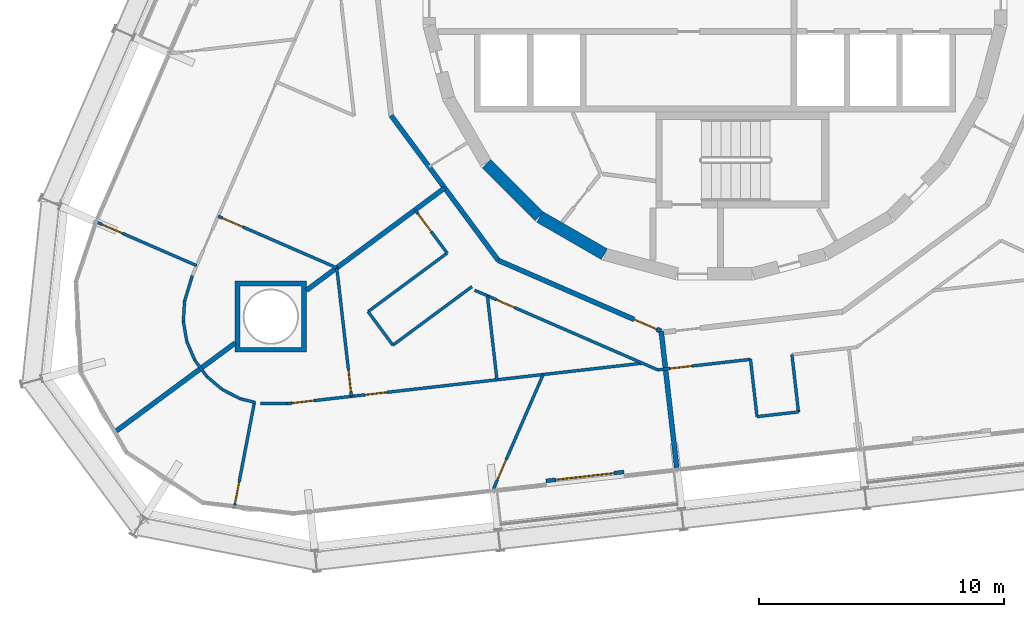
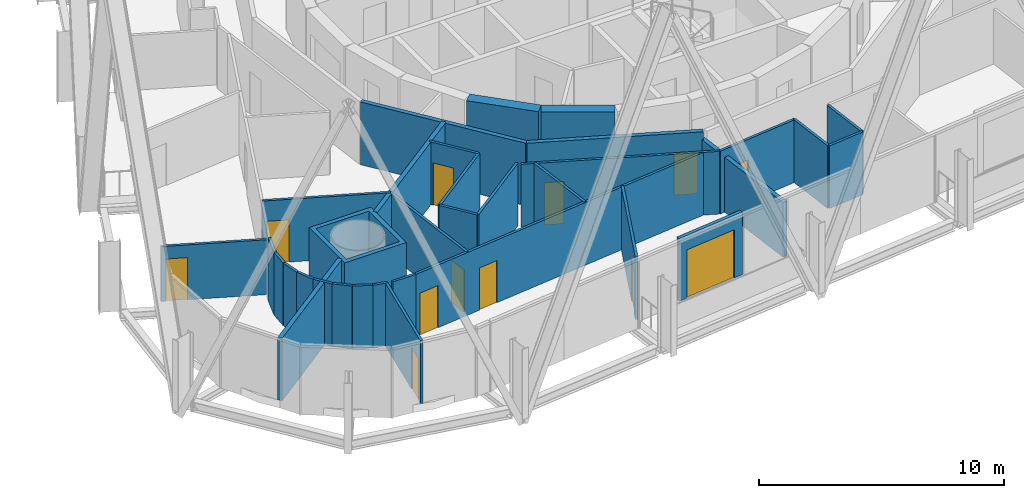
# One storey, part 16 of 23: 34 walls, 12 doors, 12 openings.
"""IFC4 building model written with IfcOpenShell, lengths in metres."""

from ifc_helpers import new_model, si_unit, direction, frame, frame_2d, origin, place, context, subcontext, project, spatial, polyline, rectangle, outline, extrude, material, layer, layer_set, type_object, element, fill, save


model = new_model("IFC4")

# Units and contexts
model_context = context("Model", 3, precision=1e-05, world=origin(), true_north=direction((0.0, 1.0)))
body_context = subcontext(model_context, "Body", "Model", "MODEL_VIEW")
ifc_project = project(units=[si_unit("LENGTHUNIT", "METRE"), si_unit("AREAUNIT", "SQUARE_METRE"), si_unit("VOLUMEUNIT", "CUBIC_METRE"), si_unit("PLANEANGLEUNIT", "RADIAN"), si_unit("MASSUNIT", "GRAM", prefix="KILO")], contexts=[model_context])

# Site, building, storey
site_placement = place(None, origin())
site = spatial("IfcSite", under=ifc_project, at=site_placement, CompositionType="ELEMENT")
building_placement = place(site_placement, origin())
building = spatial("IfcBuilding", under=site, at=building_placement, Name="Spindle Arch Residences", CompositionType="ELEMENT")
storey_placement = place(building_placement, frame((0.0, 0.0, 90.699951171875)))
storey = spatial("IfcBuildingStorey", under=building, at=storey_placement, Name="L21", CompositionType="ELEMENT", Elevation=90.699951171875)

# Walls
ifc_material_1 = material(Name="Concrete C50/60", Category="concrete")
ifc_layer_1 = layer(ifc_material_1, 0.5)
ifc_layer_set_1 = layer_set([ifc_layer_1], Name="Core outline wall 500")
wall_type_1 = type_object("IfcWallType", Name="Core outline wall 500", PredefinedType="SHEAR", material=ifc_layer_set_1)
wall_1_placement = place(storey_placement, frame((-9.30810546875, -7.163818359375, 0.0), z_axis=(0.0, 0.0, 1.0), x_axis=(0.707106781187, -0.707106781187, 0.0)))
element("IfcWall", 1, at=wall_1_placement, inside=storey, type_object=wall_type_1, Name="Core outline wall 21", PredefinedType="SHEAR", context=body_context, shape_type="SweptSolid", body=[
    extrude(rectangle(XDim=3.032470703125, YDim=0.5, at=frame_2d((1.51611328125, 0.0))), origin(), (0.0, 0.0, 1.0), 3.1201171875),
])
wall_2_placement = place(storey_placement, frame((-7.13671875, -9.32861328125, 0.0), z_axis=(0.0, 0.0, 1.0), x_axis=(0.865975092491, -0.500087131594, 0.0)))
element("IfcWall", 2, at=wall_2_placement, inside=storey, type_object=wall_type_1, Name="Core outline wall 22", PredefinedType="SHEAR", context=body_context, shape_type="SweptSolid", body=[
    extrude(rectangle(XDim=3.03271484375, YDim=0.5, at=frame_2d((1.516357421875, 0.0))), origin(), (0.0, 0.0, 1.0), 3.1201171875),
])
ifc_material_2 = material(Name="Calcium silicate block, plastered")
ifc_layer_2 = layer(ifc_material_2, 0.199951171875)
ifc_layer_set_2 = layer_set([ifc_layer_2], Name="Corridor wall 200")
wall_type_2 = type_object("IfcWallType", Name="Corridor wall 200", PredefinedType="STANDARD", material=ifc_layer_set_2)
wall_3_placement = place(storey_placement, frame((-13.1962890625, -5.1982421875, 0.0), z_axis=(0.0, 0.0, 1.0), x_axis=(0.594805187394, -0.803869883159, 0.0)))
element("IfcWall", 3, at=wall_3_placement, inside=storey, type_object=wall_type_2, Name="Corridor wall R2B0-W012", PredefinedType="STANDARD", context=body_context, shape_type="SweptSolid", body=[
    extrude(rectangle(XDim=7.341796875, YDim=0.199951171875, at=frame_2d((3.6708984375, 0.0))), origin(), (0.0, 0.0, 1.0), 3.1201171875),
])

# Wall, opening, door
wall_4_placement = place(storey_placement, frame((-8.829345703125, -11.10009765625, 0.0), z_axis=(0.0, 0.0, 1.0), x_axis=(0.917063622491, -0.398740908742, 0.0)))
wall_4 = element("IfcWall", 4, at=wall_4_placement, inside=storey, type_object=wall_type_2, Name="Corridor wall R2B0-W013", PredefinedType="STANDARD", context=body_context, shape_type="SweptSolid", body=[
    extrude(rectangle(XDim=7.239501953125, YDim=0.199951171875, at=frame_2d((3.61962890625, 0.0))), origin(), (0.0, 0.0, 1.0), 3.1201171875),
])
opening_1_placement = place(wall_4_placement, frame((6.03955078125, 0.0, 0.0)))
opening_1 = element("IfcOpeningElement", 5, at=opening_1_placement, cuts=wall_4, Name="Opening R2B0-FD04", PredefinedType="OPENING", context=body_context, shape_type="SweptSolid", body=[
    extrude(rectangle(XDim=1.0, YDim=2.10009765625, at=frame_2d((0.5, 1.050048828125))), frame((0.0, 0.10986328125, 0.0), z_axis=(0.0, -1.0, 0.0), x_axis=(1.0, 0.0, 0.0)), (0.0, 0.0, 1.0), 0.219970703125),
])
ifc_material_3 = material(Name="Timber, fire-resisting door set", Category="wood")
door_type_1 = type_object("IfcDoorType", Name="Flat entrance door 1000x2100", OperationType="NOTDEFINED", PredefinedType="DOOR", material=ifc_material_3)
door_1_placement = place(opening_1_placement, origin())
door_1 = element("IfcDoor", 6, at=door_1_placement, inside=storey, type_object=door_type_1, Name="Flat entrance door R2B0-FD04", OperationType="SINGLE_SWING_LEFT", OverallHeight=2.10009765625, OverallWidth=1.0, PredefinedType="DOOR", context=body_context, shape_type="SweptSolid", body=[
    extrude(rectangle(XDim=1.0, YDim=2.10009765625, at=frame_2d((0.5, 1.050048828125))), frame((0.0, 0.02490234375, 0.0), z_axis=(0.0, -1.0, 0.0), x_axis=(1.0, 0.0, 0.0)), (0.0, 0.0, 1.0), 0.050048828125),
])
fill(opening_1, door_1)

ifc_material_4 = material(Name="Plasterboard on steel studs", Category="steel")
ifc_layer_3 = layer(ifc_material_4, 0.1201171875)
ifc_layer_set_3 = layer_set([ifc_layer_3], Name="Flat partition 120")
wall_type_3 = type_object("IfcWallType", Name="Flat partition 120", PredefinedType="PARTITIONING", material=ifc_layer_set_3)
wall_5_placement = place(storey_placement, frame((-20.2451171875, -9.30029296875, 0.0), z_axis=(0.0, 0.0, 1.0), x_axis=(0.91706784774, -0.398731190956, 0.0)))
wall_5 = element("IfcWall", 7, at=wall_5_placement, inside=storey, type_object=wall_type_3, Name="Flat partition R2B0-W068", PredefinedType="PARTITIONING", context=body_context, shape_type="SweptSolid", body=[
    extrude(rectangle(XDim=5.2724609375, YDim=0.1201171875, at=frame_2d((2.63623046875, 0.0))), origin(), (0.0, 0.0, 1.0), 3.1201171875),
])
opening_2_placement = place(wall_5_placement, frame((0.199951171875, 0.0, 0.0)))
opening_2 = element("IfcOpeningElement", 8, at=opening_2_placement, cuts=wall_5, Name="Opening R2B0-ID15", PredefinedType="OPENING", context=body_context, shape_type="SweptSolid", body=[
    extrude(rectangle(XDim=0.89990234375, YDim=2.10009765625, at=frame_2d((0.449951171875, 1.050048828125))), frame((0.0, 0.070068359375, 0.0), z_axis=(0.0, -1.0, 0.0), x_axis=(1.0, 0.0, 0.0)), (0.0, 0.0, 1.0), 0.14013671875),
])
ifc_material_5 = material(Name="Timber door set", Category="wood")
door_type_2 = type_object("IfcDoorType", Name="Room door 900x2100", OperationType="NOTDEFINED", PredefinedType="DOOR", material=ifc_material_5)
door_2_placement = place(opening_2_placement, origin())
door_2 = element("IfcDoor", 9, at=door_2_placement, inside=storey, type_object=door_type_2, Name="Room door R2B0-ID15", OperationType="SINGLE_SWING_RIGHT", OverallHeight=2.10009765625, OverallWidth=0.89990234375, PredefinedType="DOOR", context=body_context, shape_type="SweptSolid", body=[
    extrude(rectangle(XDim=0.89990234375, YDim=2.10009765625, at=frame_2d((0.449951171875, 1.050048828125))), frame((0.0, 0.02490234375, 0.0), z_axis=(0.0, -1.0, 0.0), x_axis=(1.0, 0.0, 0.0)), (0.0, 0.0, 1.0), 0.050048828125),
])
fill(opening_2, door_2)

# Walls
for number, where, z_axis, x_axis, name in (
    (10, (-20.702880859375, -15.834716796875, 0.0), (0.0, 0.0, 1.0), (-0.594755442796, 0.803906688158, 0.0), "Flat partition R2B0-W073"),
    (11, (-21.19580078125, -15.16845703125, 0.0), (0.0, 0.0, 1.0), (-0.393528213057, 0.919312539634, 0.0), "Flat partition R2B0-W074"),
):
    element("IfcWall", number, at=place(storey_placement, frame(where, z_axis=z_axis, x_axis=x_axis)), inside=storey, type_object=wall_type_3, Name=name, PredefinedType="PARTITIONING", context=body_context, shape_type="SweptSolid", body=[
        extrude(rectangle(XDim=0.828857421875, YDim=0.1201171875, at=frame_2d((0.41455078125, 0.0))), origin(), (0.0, 0.0, 1.0), 3.1201171875),
    ])
wall_6_placement = place(storey_placement, frame((-21.52197265625, -14.406494140625, 0.0), z_axis=(0.0, 0.0, 1.0), x_axis=(-0.170794347099, 0.985306698952, 0.0)))
element("IfcWall", 12, at=wall_6_placement, inside=storey, type_object=wall_type_3, Name="Flat partition R2B0-W075", PredefinedType="PARTITIONING", context=body_context, shape_type="SweptSolid", body=[
    extrude(rectangle(XDim=0.8291015625, YDim=0.1201171875, at=frame_2d((0.41455078125, 0.0))), origin(), (0.0, 0.0, 1.0), 3.1201171875),
])
wall_7_placement = place(storey_placement, frame((-21.66357421875, -13.589599609375, 0.0), z_axis=(0.0, 0.0, 1.0), x_axis=(0.061277779288, 0.998120751095, 0.0)))
element("IfcWall", 13, at=wall_7_placement, inside=storey, type_object=wall_type_3, Name="Flat partition R2B0-W076", PredefinedType="PARTITIONING", context=body_context, shape_type="SweptSolid", body=[
    extrude(rectangle(XDim=0.82861328125, YDim=0.1201171875, at=frame_2d((0.414306640625, 0.0))), origin(), (0.0, 0.0, 1.0), 3.1201171875),
])
wall_8_placement = place(storey_placement, frame((-21.61279296875, -12.762451171875, 0.0), z_axis=(0.0, 0.0, 1.0), x_axis=(0.289552239308, 0.95716221233, 0.0)))
element("IfcWall", 14, at=wall_8_placement, inside=storey, type_object=wall_type_3, Name="Flat partition R2B0-W077", PredefinedType="PARTITIONING", context=body_context, shape_type="SweptSolid", body=[
    extrude(rectangle(XDim=1.0869140625, YDim=0.1201171875, at=frame_2d((0.54345703125, 0.0))), origin(), (0.0, 0.0, 1.0), 3.1201171875),
])

# Wall, opening, door
wall_9_placement = place(storey_placement, frame((-12.218505859375, -9.041259765625, 0.0), z_axis=(0.0, 0.0, 1.0), x_axis=(0.59482286703, -0.803856801214, 0.0)))
wall_9 = element("IfcWall", 15, at=wall_9_placement, inside=storey, type_object=wall_type_3, Name="Flat partition R2B0-W078", PredefinedType="PARTITIONING", context=body_context, shape_type="SweptSolid", body=[
    extrude(rectangle(XDim=2.193359375, YDim=0.1201171875, at=frame_2d((1.0966796875, 0.0))), origin(), (0.0, 0.0, 1.0), 3.1201171875),
])
opening_3_placement = place(wall_9_placement, frame((0.199951171875, 0.0, 0.0)))
opening_3 = element("IfcOpeningElement", 16, at=opening_3_placement, cuts=wall_9, Name="Opening R2B0-ID19", PredefinedType="OPENING", context=body_context, shape_type="SweptSolid", body=[
    extrude(rectangle(XDim=0.89990234375, YDim=2.10009765625, at=frame_2d((0.449951171875, 1.050048828125))), frame((0.0, 0.070068359375, 0.0), z_axis=(0.0, -1.0, 0.0), x_axis=(1.0, 0.0, 0.0)), (0.0, 0.0, 1.0), 0.14013671875),
])
door_3_placement = place(opening_3_placement, origin())
door_3 = element("IfcDoor", 17, at=door_3_placement, inside=storey, type_object=door_type_2, Name="Room door R2B0-ID19", OperationType="SINGLE_SWING_LEFT", OverallHeight=2.10009765625, OverallWidth=0.89990234375, PredefinedType="DOOR", context=body_context, shape_type="SweptSolid", body=[
    extrude(rectangle(XDim=0.89990234375, YDim=2.10009765625, at=frame_2d((0.449951171875, 1.050048828125))), frame((0.0, 0.02490234375, 0.0), z_axis=(0.0, -1.0, 0.0), x_axis=(1.0, 0.0, 0.0)), (0.0, 0.0, 1.0), 0.050048828125),
])
fill(opening_3, door_3)

# Walls
wall_10_placement = place(storey_placement, frame((-10.913818359375, -10.804443359375, 0.0), z_axis=(0.0, 0.0, 1.0), x_axis=(-0.803864616889, -0.594812304609, 0.0)))
element("IfcWall", 18, at=wall_10_placement, inside=storey, type_object=wall_type_3, Name="Flat partition R2B0-W079", PredefinedType="PARTITIONING", context=body_context, shape_type="SweptSolid", body=[
    extrude(rectangle(XDim=4.008056640625, YDim=0.1201171875, at=frame_2d((2.00390625, 0.0))), origin(), (0.0, 0.0, 1.0), 3.1201171875),
])
wall_11_placement = place(storey_placement, frame((-14.1357421875, -13.1884765625, 0.0), z_axis=(0.0, 0.0, 1.0), x_axis=(0.594863421241, -0.803826791087, 0.0)))
element("IfcWall", 19, at=wall_11_placement, inside=storey, type_object=wall_type_3, Name="Flat partition R2B0-W080", PredefinedType="PARTITIONING", context=body_context, shape_type="SweptSolid", body=[
    extrude(rectangle(XDim=1.699951171875, YDim=0.1201171875, at=frame_2d((0.85009765625, 0.0))), origin(), (0.0, 0.0, 1.0), 3.1201171875),
])
wall_12_placement = place(storey_placement, frame((-13.12451171875, -14.554931640625, 0.0), z_axis=(0.0, 0.0, 1.0), x_axis=(0.80389374229, 0.594772940799, 0.0)))
element("IfcWall", 20, at=wall_12_placement, inside=storey, type_object=wall_type_3, Name="Flat partition R2B0-W081", PredefinedType="PARTITIONING", context=body_context, shape_type="SweptSolid", body=[
    extrude(rectangle(XDim=4.0078125, YDim=0.1201171875, at=frame_2d((2.00390625, 0.0))), origin(), (0.0, 0.0, 1.0), 3.1201171875),
])

# Wall, opening, door
wall_13_placement = place(storey_placement, frame((-9.7958984375, -12.315185546875, 0.0), z_axis=(0.0, 0.0, 1.0), x_axis=(0.917059572812, -0.398750222463, 0.0)))
wall_13 = element("IfcWall", 21, at=wall_13_placement, inside=storey, type_object=wall_type_3, Name="Flat partition R2B0-W082", PredefinedType="PARTITIONING", context=body_context, shape_type="SweptSolid", body=[
    extrude(rectangle(XDim=8.1455078125, YDim=0.1201171875, at=frame_2d((4.07275390625, 0.0))), origin(), (0.0, 0.0, 1.0), 3.1201171875),
])
opening_4_placement = place(wall_13_placement, frame((0.969482421875, 0.0, 0.0)))
opening_4 = element("IfcOpeningElement", 22, at=opening_4_placement, cuts=wall_13, Name="Opening R2B0-BD04", PredefinedType="OPENING", context=body_context, shape_type="SweptSolid", body=[
    extrude(rectangle(XDim=0.800048828125, YDim=2.10009765625, at=frame_2d((0.39990234375, 1.050048828125))), frame((0.0, 0.070068359375, 0.0), z_axis=(0.0, -1.0, 0.0), x_axis=(1.0, 0.0, 0.0)), (0.0, 0.0, 1.0), 0.14013671875),
])
ifc_material_6 = material(Name="Timber door set", Category="wood")
door_type_3 = type_object("IfcDoorType", Name="Bathroom door 800x2100", OperationType="NOTDEFINED", PredefinedType="DOOR", material=ifc_material_6)
door_4_placement = place(opening_4_placement, origin())
door_4 = element("IfcDoor", 23, at=door_4_placement, inside=storey, type_object=door_type_3, Name="Bathroom door R2B0-BD04", OperationType="SINGLE_SWING_LEFT", OverallHeight=2.10009765625, OverallWidth=0.800048828125, PredefinedType="DOOR", context=body_context, shape_type="SweptSolid", body=[
    extrude(rectangle(XDim=0.800048828125, YDim=2.10009765625, at=frame_2d((0.39990234375, 1.050048828125))), frame((0.0, 0.02490234375, 0.0), z_axis=(0.0, -1.0, 0.0), x_axis=(1.0, 0.0, 0.0)), (0.0, 0.0, 1.0), 0.050048828125),
])
fill(opening_4, door_4)

wall_14_placement = place(storey_placement, frame((-2.325927734375, -15.563232421875, 0.0), z_axis=(0.0, 0.0, 1.0), x_axis=(0.993575068384, 0.113175012641, 0.0)))
wall_14 = element("IfcWall", 24, at=wall_14_placement, inside=storey, type_object=wall_type_3, Name="Flat partition R2B0-W083", PredefinedType="PARTITIONING", context=body_context, shape_type="SweptSolid", body=[
    extrude(rectangle(XDim=3.798828125, YDim=0.1201171875, at=frame_2d((1.8994140625, 0.0))), origin(), (0.0, 0.0, 1.0), 3.1201171875),
])
opening_5_placement = place(wall_14_placement, frame((0.513427734375, 0.0, 0.0)))
opening_5 = element("IfcOpeningElement", 25, at=opening_5_placement, cuts=wall_14, Name="Opening R2B0-ID25", PredefinedType="OPENING", context=body_context, shape_type="SweptSolid", body=[
    extrude(rectangle(XDim=0.89990234375, YDim=2.10009765625, at=frame_2d((0.449951171875, 1.050048828125))), frame((0.0, 0.070068359375, 0.0), z_axis=(0.0, -1.0, 0.0), x_axis=(1.0, 0.0, 0.0)), (0.0, 0.0, 1.0), 0.14013671875),
])
door_5_placement = place(opening_5_placement, origin())
door_5 = element("IfcDoor", 26, at=door_5_placement, inside=storey, type_object=door_type_2, Name="Room door R2B0-ID25", OperationType="SINGLE_SWING_LEFT", OverallHeight=2.10009765625, OverallWidth=0.89990234375, PredefinedType="DOOR", context=body_context, shape_type="SweptSolid", body=[
    extrude(rectangle(XDim=0.89990234375, YDim=2.10009765625, at=frame_2d((0.449951171875, 1.050048828125))), frame((0.0, 0.02490234375, 0.0), z_axis=(0.0, -1.0, 0.0), x_axis=(1.0, 0.0, 0.0)), (0.0, 0.0, 1.0), 0.050048828125),
])
fill(opening_5, door_5)

# Walls
wall_15_placement = place(storey_placement, frame((-18.727783203125, -16.88818359375, 0.0), z_axis=(0.0, 0.0, 1.0), x_axis=(-0.972351484507, 0.233522141512, 0.0)))
element("IfcWall", 27, at=wall_15_placement, inside=storey, type_object=wall_type_3, Name="Flat partition R2B0-W084", PredefinedType="PARTITIONING", context=body_context, shape_type="SweptSolid", body=[
    extrude(rectangle(XDim=0.618896484375, YDim=0.1201171875, at=frame_2d((0.3095703125, 0.0))), origin(), (0.0, 0.0, 1.0), 3.1201171875),
])
for number, where, z_axis, x_axis, name in (
    (28, (-19.32958984375, -16.74365234375, 0.0), (0.0, 0.0, 1.0), (-0.89229682893, 0.451449187706, 0.0), "Flat partition R2B0-W085"),
    (29, (-20.0693359375, -16.369384765625, 0.0), (0.0, 0.0, 1.0), (-0.764223440539, 0.644951574097, 0.0), "Flat partition R2B0-W086"),
):
    element("IfcWall", number, at=place(storey_placement, frame(where, z_axis=z_axis, x_axis=x_axis)), inside=storey, type_object=wall_type_3, Name=name, PredefinedType="PARTITIONING", context=body_context, shape_type="SweptSolid", body=[
        extrude(rectangle(XDim=0.8291015625, YDim=0.1201171875, at=frame_2d((0.41455078125, 0.0))), origin(), (0.0, 0.0, 1.0), 3.1201171875),
    ])

# Wall, opening, door
wall_16_placement = place(storey_placement, frame((-19.595703125, -21.204833984375, 0.0), z_axis=(0.0, 0.0, 1.0), x_axis=(0.188168961647, 0.982136671687, 0.0)))
wall_16 = element("IfcWall", 30, at=wall_16_placement, inside=storey, type_object=wall_type_3, Name="Flat partition R2B0-W087", PredefinedType="PARTITIONING", context=body_context, shape_type="SweptSolid", body=[
    extrude(rectangle(XDim=4.40478515625, YDim=0.1201171875, at=frame_2d((2.202392578125, 0.0))), origin(), (0.0, 0.0, 1.0), 3.1201171875),
])
opening_6_placement = place(wall_16_placement, frame((0.199951171875, 0.0, 0.0)))
opening_6 = element("IfcOpeningElement", 31, at=opening_6_placement, cuts=wall_16, Name="Opening R2B0-ID22", PredefinedType="OPENING", context=body_context, shape_type="SweptSolid", body=[
    extrude(rectangle(XDim=0.89990234375, YDim=2.10009765625, at=frame_2d((0.449951171875, 1.050048828125))), frame((0.0, 0.070068359375, 0.0), z_axis=(0.0, -1.0, 0.0), x_axis=(1.0, 0.0, 0.0)), (0.0, 0.0, 1.0), 0.14013671875),
])
door_6_placement = place(opening_6_placement, origin())
door_6 = element("IfcDoor", 32, at=door_6_placement, inside=storey, type_object=door_type_2, Name="Room door R2B0-ID22", OperationType="SINGLE_SWING_LEFT", OverallHeight=2.10009765625, OverallWidth=0.89990234375, PredefinedType="DOOR", context=body_context, shape_type="SweptSolid", body=[
    extrude(rectangle(XDim=0.89990234375, YDim=2.10009765625, at=frame_2d((0.449951171875, 1.050048828125))), frame((0.0, 0.02490234375, 0.0), z_axis=(0.0, -1.0, 0.0), x_axis=(1.0, 0.0, 0.0)), (0.0, 0.0, 1.0), 0.050048828125),
])
fill(opening_6, door_6)

wall_17_placement = place(storey_placement, frame((-14.81298828125, -16.641357421875, 0.0), z_axis=(0.0, 0.0, 1.0), x_axis=(-0.113210971478, 0.993570971767, 0.0)))
wall_17 = element("IfcWall", 33, at=wall_17_placement, inside=storey, type_object=wall_type_3, Name="Flat partition R2B0-W088", PredefinedType="PARTITIONING", context=body_context, shape_type="SweptSolid", body=[
    extrude(rectangle(XDim=5.272705078125, YDim=0.1201171875, at=frame_2d((2.63623046875, 0.0))), origin(), (0.0, 0.0, 1.0), 3.1201171875),
])
opening_7_placement = place(wall_17_placement, frame((0.199951171875, 0.0, 0.0)))
opening_7 = element("IfcOpeningElement", 34, at=opening_7_placement, cuts=wall_17, Name="Opening R2B0-ID20", PredefinedType="OPENING", context=body_context, shape_type="SweptSolid", body=[
    extrude(rectangle(XDim=0.89990234375, YDim=2.10009765625, at=frame_2d((0.449951171875, 1.050048828125))), frame((0.0, 0.070068359375, 0.0), z_axis=(0.0, -1.0, 0.0), x_axis=(1.0, 0.0, 0.0)), (0.0, 0.0, 1.0), 0.14013671875),
])
door_7_placement = place(opening_7_placement, origin())
door_7 = element("IfcDoor", 35, at=door_7_placement, inside=storey, type_object=door_type_2, Name="Room door R2B0-ID20", OperationType="SINGLE_SWING_LEFT", OverallHeight=2.10009765625, OverallWidth=0.89990234375, PredefinedType="DOOR", context=body_context, shape_type="SweptSolid", body=[
    extrude(rectangle(XDim=0.89990234375, YDim=2.10009765625, at=frame_2d((0.449951171875, 1.050048828125))), frame((0.0, 0.02490234375, 0.0), z_axis=(0.0, -1.0, 0.0), x_axis=(1.0, 0.0, 0.0)), (0.0, 0.0, 1.0), 0.050048828125),
])
fill(opening_7, door_7)

# Wall
wall_18_placement = place(storey_placement, frame((-18.523681640625, -16.93701171875, 0.0), z_axis=(0.0, 0.0, 1.0), x_axis=(0.999995736722, -0.00292002349, 0.0)))
element("IfcWall", 36, at=wall_18_placement, inside=storey, type_object=wall_type_3, Name="Flat partition R2B0-W089", PredefinedType="PARTITIONING", context=body_context, shape_type="SweptSolid", body=[
    extrude(rectangle(XDim=1.0869140625, YDim=0.1201171875, at=frame_2d((0.54345703125, 0.0))), origin(), (0.0, 0.0, 1.0), 3.1201171875),
])

# Wall, openings, doors
wall_19_placement = place(storey_placement, frame((-17.436767578125, -16.940185546875, 0.0), z_axis=(0.0, 0.0, 1.0), x_axis=(0.993573314119, 0.113190412448, 0.0)))
wall_19 = element("IfcWall", 37, at=wall_19_placement, inside=storey, type_object=wall_type_3, Name="Flat partition R2B0-W090", PredefinedType="PARTITIONING", context=body_context, shape_type="SweptSolid", body=[
    extrude(rectangle(XDim=14.576416015625, YDim=0.1201171875, at=frame_2d((7.2880859375, 0.0))), origin(), (0.0, 0.0, 1.0), 3.1201171875),
])
opening_8_placement = place(wall_19_placement, frame((3.20068359375, 0.0, 0.0)))
opening_8 = element("IfcOpeningElement", 38, at=opening_8_placement, cuts=wall_19, Name="Opening R2B0-ID21", PredefinedType="OPENING", context=body_context, shape_type="SweptSolid", body=[
    extrude(rectangle(XDim=0.89990234375, YDim=2.10009765625, at=frame_2d((0.449951171875, 1.050048828125))), frame((0.0, 0.070068359375, 0.0), z_axis=(0.0, -1.0, 0.0), x_axis=(1.0, 0.0, 0.0)), (0.0, 0.0, 1.0), 0.14013671875),
])
opening_9_placement = place(wall_19_placement, frame((0.199951171875, 0.0, 0.0)))
opening_9 = element("IfcOpeningElement", 39, at=opening_9_placement, cuts=wall_19, Name="Opening R2B0-ID24", PredefinedType="OPENING", context=body_context, shape_type="SweptSolid", body=[
    extrude(rectangle(XDim=0.89990234375, YDim=2.10009765625, at=frame_2d((0.449951171875, 1.050048828125))), frame((0.0, 0.070068359375, 0.0), z_axis=(0.0, -1.0, 0.0), x_axis=(1.0, 0.0, 0.0)), (0.0, 0.0, 1.0), 0.14013671875),
])
door_8_placement = place(opening_8_placement, origin())
door_8 = element("IfcDoor", 40, at=door_8_placement, inside=storey, type_object=door_type_2, Name="Room door R2B0-ID21", OperationType="SINGLE_SWING_LEFT", OverallHeight=2.10009765625, OverallWidth=0.89990234375, PredefinedType="DOOR", context=body_context, shape_type="SweptSolid", body=[
    extrude(rectangle(XDim=0.89990234375, YDim=2.10009765625, at=frame_2d((0.449951171875, 1.050048828125))), frame((0.0, 0.02490234375, 0.0), z_axis=(0.0, -1.0, 0.0), x_axis=(1.0, 0.0, 0.0)), (0.0, 0.0, 1.0), 0.050048828125),
])
fill(opening_8, door_8)
door_9_placement = place(opening_9_placement, origin())
door_9 = element("IfcDoor", 41, at=door_9_placement, inside=storey, type_object=door_type_2, Name="Room door R2B0-ID24", OperationType="SINGLE_SWING_LEFT", OverallHeight=2.10009765625, OverallWidth=0.89990234375, PredefinedType="DOOR", context=body_context, shape_type="SweptSolid", body=[
    extrude(rectangle(XDim=0.89990234375, YDim=2.10009765625, at=frame_2d((0.449951171875, 1.050048828125))), frame((0.0, 0.02490234375, 0.0), z_axis=(0.0, -1.0, 0.0), x_axis=(1.0, 0.0, 0.0)), (0.0, 0.0, 1.0), 0.050048828125),
])
fill(opening_9, door_9)

# Wall
wall_20_placement = place(storey_placement, frame((-8.883544921875, -15.9658203125, 0.0), z_axis=(0.0, 0.0, 1.0), x_axis=(-0.113230836929, 0.993568708026, 0.0)))
element("IfcWall", 42, at=wall_20_placement, inside=storey, type_object=wall_type_3, Name="Flat partition R2B0-W091", PredefinedType="PARTITIONING", context=body_context, shape_type="SweptSolid", body=[
    extrude(rectangle(XDim=3.445556640625, YDim=0.1201171875, at=frame_2d((1.72265625, 0.0))), origin(), (0.0, 0.0, 1.0), 3.1201171875),
])

# Wall, opening, door
wall_21_placement = place(storey_placement, frame((-9.025634765625, -20.410400390625, 0.0), z_axis=(0.0, 0.0, 1.0), x_axis=(0.398750711167, 0.917059360316, 0.0)))
wall_21 = element("IfcWall", 43, at=wall_21_placement, inside=storey, type_object=wall_type_3, Name="Flat partition R2B0-W092", PredefinedType="PARTITIONING", context=body_context, shape_type="SweptSolid", body=[
    extrude(rectangle(XDim=5.08056640625, YDim=0.1201171875, at=frame_2d((2.540283203125, 0.0))), origin(), (0.0, 0.0, 1.0), 3.1201171875),
])
opening_10_placement = place(wall_21_placement, frame((0.39990234375, 0.0, 0.0)))
opening_10 = element("IfcOpeningElement", 44, at=opening_10_placement, cuts=wall_21, Name="Opening R2B0-ID23", PredefinedType="OPENING", context=body_context, shape_type="SweptSolid", body=[
    extrude(rectangle(XDim=0.89990234375, YDim=2.10009765625, at=frame_2d((0.449951171875, 1.050048828125))), frame((0.0, 0.070068359375, 0.0), z_axis=(0.0, -1.0, 0.0), x_axis=(1.0, 0.0, 0.0)), (0.0, 0.0, 1.0), 0.14013671875),
])
door_10_placement = place(opening_10_placement, origin())
door_10 = element("IfcDoor", 45, at=door_10_placement, inside=storey, type_object=door_type_2, Name="Room door R2B0-ID23", OperationType="SINGLE_SWING_RIGHT", OverallHeight=2.10009765625, OverallWidth=0.89990234375, PredefinedType="DOOR", context=body_context, shape_type="SweptSolid", body=[
    extrude(rectangle(XDim=0.89990234375, YDim=2.10009765625, at=frame_2d((0.449951171875, 1.050048828125))), frame((0.0, 0.02490234375, 0.0), z_axis=(0.0, -1.0, 0.0), x_axis=(1.0, 0.0, 0.0)), (0.0, 0.0, 1.0), 0.050048828125),
])
fill(opening_10, door_10)

# Walls
wall_22_placement = place(storey_placement, frame((1.448486328125, -15.13330078125, 0.0), z_axis=(0.0, 0.0, 1.0), x_axis=(0.113180189053, -0.993574478741, 0.0)))
element("IfcWall", 46, at=wall_22_placement, inside=storey, type_object=wall_type_3, Name="Flat partition R2B0-W093", PredefinedType="PARTITIONING", context=body_context, shape_type="SweptSolid", body=[
    extrude(rectangle(XDim=2.34912109375, YDim=0.1201171875, at=frame_2d((1.174560546875, 0.0))), origin(), (0.0, 0.0, 1.0), 3.1201171875),
])
wall_23_placement = place(storey_placement, frame((1.71435546875, -17.46728515625, 0.0), z_axis=(0.0, 0.0, 1.0), x_axis=(0.993577030812, 0.113157782957, 0.0)))
element("IfcWall", 47, at=wall_23_placement, inside=storey, type_object=wall_type_3, Name="Flat partition R2B0-W094", PredefinedType="PARTITIONING", context=body_context, shape_type="SweptSolid", body=[
    extrude(rectangle(XDim=1.7001953125, YDim=0.1201171875, at=frame_2d((0.85009765625, 0.0))), origin(), (0.0, 0.0, 1.0), 3.1201171875),
])
wall_24_placement = place(storey_placement, frame((3.403564453125, -17.27490234375, 0.0), z_axis=(0.0, 0.0, 1.0), x_axis=(-0.113180189053, 0.993574478741, 0.0)))
element("IfcWall", 48, at=wall_24_placement, inside=storey, type_object=wall_type_3, Name="Flat partition R2B0-W095", PredefinedType="PARTITIONING", context=body_context, shape_type="SweptSolid", body=[
    extrude(rectangle(XDim=2.34912109375, YDim=0.1201171875, at=frame_2d((1.174560546875, 0.0))), origin(), (0.0, 0.0, 1.0), 3.1201171875),
])

# Wall, opening, door
ifc_material_7 = material(Name="Plasterboard on steel studs", Category="steel")
ifc_layer_4 = layer(ifc_material_7, 0.1201171875)
ifc_layer_set_4 = layer_set([ifc_layer_4], Name="Flat partition 120 under beam 2730")
wall_type_4 = type_object("IfcWallType", Name="Flat partition 120 under beam 2730", PredefinedType="PARTITIONING", material=ifc_layer_set_4)
wall_25_placement = place(storey_placement, frame((-25.155517578125, -9.55908203125, 0.0), z_axis=(0.0, 0.0, 1.0), x_axis=(0.917042707292, -0.398789008127, 0.0)))
wall_25 = element("IfcWall", 49, at=wall_25_placement, inside=storey, type_object=wall_type_4, Name="Flat partition R2B0-W072", PredefinedType="PARTITIONING", context=body_context, shape_type="SweptSolid", body=[
    extrude(rectangle(XDim=4.39990234375, YDim=0.1201171875, at=frame_2d((2.199951171875, 0.0))), origin(), (0.0, 0.0, 1.0), 2.72998046875),
])
opening_11_placement = place(wall_25_placement, frame((0.199951171875, 0.0, 0.0)))
opening_11 = element("IfcOpeningElement", 50, at=opening_11_placement, cuts=wall_25, Name="Opening R2B0-ID17", PredefinedType="OPENING", context=body_context, shape_type="SweptSolid", body=[
    extrude(rectangle(XDim=0.89990234375, YDim=2.10009765625, at=frame_2d((0.449951171875, 1.050048828125))), frame((0.0, 0.070068359375, 0.0), z_axis=(0.0, -1.0, 0.0), x_axis=(1.0, 0.0, 0.0)), (0.0, 0.0, 1.0), 0.14013671875),
])
door_11_placement = place(opening_11_placement, origin())
door_11 = element("IfcDoor", 51, at=door_11_placement, inside=storey, type_object=door_type_2, Name="Room door R2B0-ID17", OperationType="SINGLE_SWING_RIGHT", OverallHeight=2.10009765625, OverallWidth=0.89990234375, PredefinedType="DOOR", context=body_context, shape_type="SweptSolid", body=[
    extrude(rectangle(XDim=0.89990234375, YDim=2.10009765625, at=frame_2d((0.449951171875, 1.050048828125))), frame((0.0, 0.02490234375, 0.0), z_axis=(0.0, -1.0, 0.0), x_axis=(1.0, 0.0, 0.0)), (0.0, 0.0, 1.0), 0.050048828125),
])
fill(opening_11, door_11)

# Walls
ifc_material_8 = material(Name="Calcium silicate block, plastered")
ifc_layer_5 = layer(ifc_material_8, 0.199951171875)
ifc_layer_set_5 = layer_set([ifc_layer_5], Name="Flat party wall 200")
wall_type_5 = type_object("IfcWallType", Name="Flat party wall 200", PredefinedType="STANDARD", material=ifc_layer_set_5)
wall_26_placement = place(storey_placement, frame((-16.64892578125, -12.319580078125, 0.0), z_axis=(0.0, 0.0, 1.0), x_axis=(0.803869204071, 0.594806105169, 0.0)))
element("IfcWall", 52, at=wall_26_placement, inside=storey, type_object=wall_type_5, Name="Flat party wall R2B0-W021", PredefinedType="STANDARD", context=body_context, shape_type="SweptSolid", body=[
    extrude(rectangle(XDim=7.011474609375, YDim=0.199951171875, at=frame_2d((3.505859375, 0.0))), origin(), (0.0, 0.0, 1.0), 3.1201171875),
])
wall_27_placement = place(storey_placement, frame((-24.486083984375, -18.118896484375, 0.0), z_axis=(0.0, 0.0, 1.0), x_axis=(0.80384227933, 0.594842491726, 0.0)))
element("IfcWall", 53, at=wall_27_placement, inside=storey, type_object=wall_type_5, Name="Flat party wall R2B0-W022", PredefinedType="STANDARD", context=body_context, shape_type="SweptSolid", body=[
    extrude(rectangle(XDim=6.14208984375, YDim=0.199951171875, at=frame_2d((3.071044921875, 0.0))), origin(), (0.0, 0.0, 1.0), 3.1201171875),
])
ifc_material_9 = material(Name="Calcium silicate block, plastered")
ifc_layer_6 = layer(ifc_material_9, 0.199951171875)
ifc_layer_set_6 = layer_set([ifc_layer_6], Name="Flat party wall 200 under beam 2730")
wall_type_6 = type_object("IfcWallType", Name="Flat party wall 200 under beam 2730", PredefinedType="STANDARD", material=ifc_layer_set_6)
wall_28_placement = place(storey_placement, frame((-1.55517578125, -19.559326171875, 0.0), z_axis=(0.0, 0.0, 1.0), x_axis=(-0.113221250863, 0.993569800443, 0.0)))
element("IfcWall", 54, at=wall_28_placement, inside=storey, type_object=wall_type_6, Name="Flat party wall R2B0-W023", PredefinedType="STANDARD", context=body_context, shape_type="SweptSolid", body=[
    extrude(rectangle(XDim=5.608642578125, YDim=0.199951171875, at=frame_2d((2.80419921875, 0.0))), origin(), (0.0, 0.0, 1.0), 2.72998046875),
])

# Wall, opening, door
ifc_material_10 = material(Name="Non-combustible mineral wool insulated aluminium faced external wall (K0)", Category="aluminium")
ifc_layer_7 = layer(ifc_material_10, 0.159912109375)
ifc_layer_set_7 = layer_set([ifc_layer_7], Name="Insulated external wall panel 160")
wall_type_7 = type_object("IfcWallType", Name="Insulated external wall panel 160", PredefinedType="STANDARD", material=ifc_layer_set_7)
wall_29_placement = place(storey_placement, frame((-6.88916015625, -20.08642578125, 0.0), z_axis=(0.0, 0.0, 1.0), x_axis=(0.993578576686, 0.113144208648, 0.0)))
wall_29 = element("IfcWall", 55, at=wall_29_placement, inside=storey, type_object=wall_type_7, Name="External wall L21 bay 23", PredefinedType="STANDARD", context=body_context, shape_type="SweptSolid", body=[
    extrude(rectangle(XDim=3.199951171875, YDim=0.159912109375, at=frame_2d((1.60009765625, 0.0))), origin(), (0.0, 0.0, 1.0), 3.1201171875),
])
opening_12_placement = place(wall_29_placement, frame((0.39990234375, 0.0, 0.0)))
opening_12 = element("IfcOpeningElement", 56, at=opening_12_placement, cuts=wall_29, Name="Opening BD23", PredefinedType="OPENING", context=body_context, shape_type="SweptSolid", body=[
    extrude(rectangle(XDim=2.39990234375, YDim=2.39990234375, at=frame_2d((1.199951171875, 1.199951171875))), frame((0.0, 0.08984375, 0.0), z_axis=(0.0, -1.0, 0.0), x_axis=(1.0, 0.0, 0.0)), (0.0, 0.0, 1.0), 0.179931640625),
])
ifc_material_11 = material(Name="Bronze aluminium frame, tinted double glazing", Category="aluminium")
door_type_4 = type_object("IfcDoorType", Name="Sliding glazed balcony door 2400x2400", OperationType="DOUBLE_DOOR_SLIDING", PredefinedType="DOOR", material=ifc_material_11)
door_12_placement = place(opening_12_placement, origin())
door_12 = element("IfcDoor", 57, at=door_12_placement, inside=storey, type_object=door_type_4, Name="Balcony door BD23", OperationType="DOUBLE_DOOR_SLIDING", OverallHeight=2.39990234375, OverallWidth=2.39990234375, PredefinedType="DOOR", context=body_context, shape_type="SweptSolid", body=[
    extrude(rectangle(XDim=2.39990234375, YDim=2.39990234375, at=frame_2d((1.199951171875, 1.199951171875))), frame((0.0, 0.02490234375, 0.0), z_axis=(0.0, -1.0, 0.0), x_axis=(1.0, 0.0, 0.0)), (0.0, 0.0, 1.0), 0.050048828125),
])
fill(opening_12, door_12)

# Wall
ifc_material_12 = material(Name="Calcium silicate block, plastered")
ifc_layer_8 = layer(ifc_material_12, 0.199951171875)
ifc_layer_set_8 = layer_set([ifc_layer_8], Name="Mega-column casing wall 200")
wall_type_8 = type_object("IfcWallType", Name="Mega-column casing wall 200", PredefinedType="STANDARD", material=ifc_layer_set_8)
wall_30_placement = place(storey_placement, origin())
element("IfcWall", 58, at=wall_30_placement, inside=storey, type_object=wall_type_8, Name="Mega-column casing wall R2B0-WC02", PredefinedType="STANDARD", context=body_context, shape_type="SweptSolid", body=[
    extrude(outline(polyline([(-16.64892578125, -11.9423828125), (-16.64892578125, -14.842529296875), (-19.548828125, -14.842529296875), (-19.548828125, -11.9423828125), (-16.64892578125, -11.9423828125)]), holes=[polyline([(-19.348876953125, -14.642578125), (-16.848876953125, -14.642578125), (-16.848876953125, -12.142578125), (-19.348876953125, -12.142578125), (-19.348876953125, -14.642578125)])]), origin(), (0.0, 0.0, 1.0), 3.1201171875),
])

save(model, "model.ifc")
